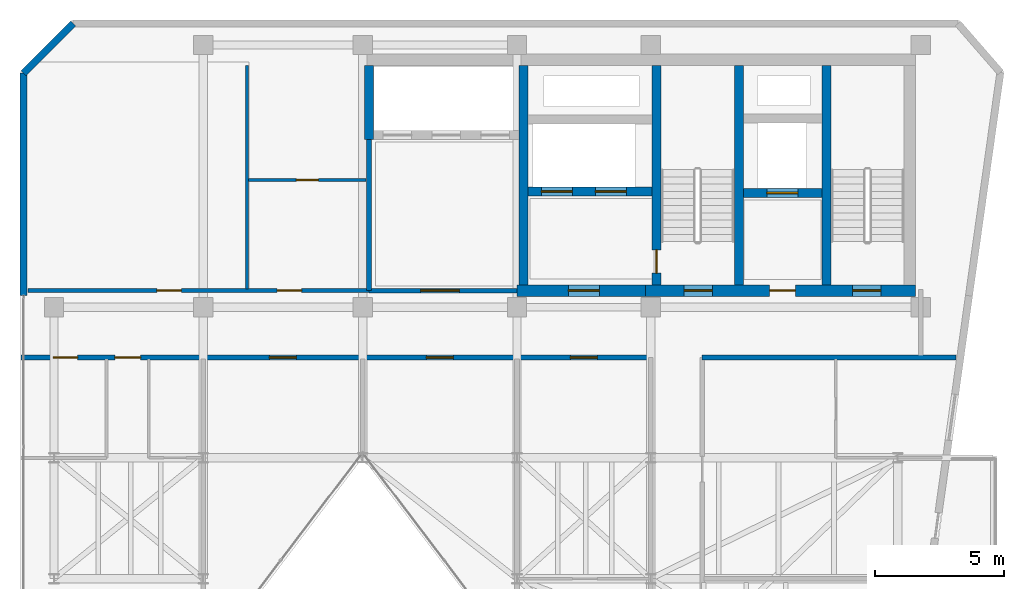
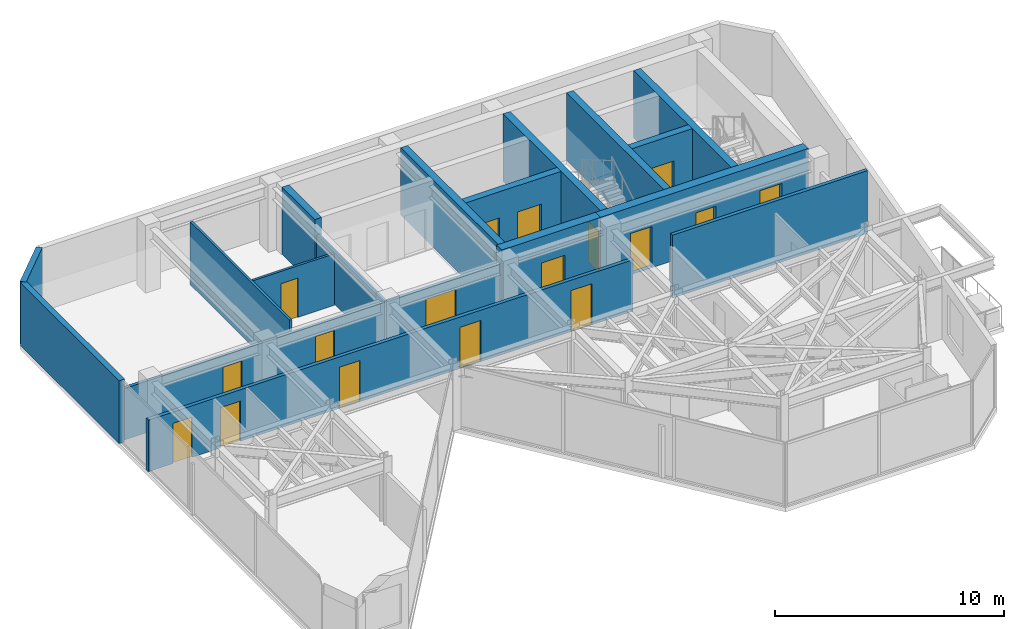
# One storey, part 14 of 17: 18 walls, 17 doors, 17 openings.
"""IFC4 building model written with IfcOpenShell, lengths in metres."""

from ifc_helpers import new_model, si_unit, direction, frame, frame_2d, origin, place, context, subcontext, project, spatial, rectangle, extrude, material, layer, layer_set, type_object, element, fill, save


model = new_model("IFC4")

# Units and contexts
model_context = context("Model", 3, precision=1e-05, world=origin(), true_north=direction((0.0, 1.0)))
body_context = subcontext(model_context, "Body", "Model", "MODEL_VIEW")
ifc_project = project(units=[si_unit("LENGTHUNIT", "METRE"), si_unit("AREAUNIT", "SQUARE_METRE"), si_unit("VOLUMEUNIT", "CUBIC_METRE"), si_unit("PLANEANGLEUNIT", "RADIAN"), si_unit("MASSUNIT", "GRAM", prefix="KILO")], contexts=[model_context])

# Site, building, storey
site_placement = place(None, origin())
site = spatial("IfcSite", under=ifc_project, at=site_placement, CompositionType="ELEMENT")
building_placement = place(site_placement, origin())
building = spatial("IfcBuilding", under=site, at=building_placement, Name="Kravanh Interchange Tower", CompositionType="ELEMENT")
storey_placement = place(building_placement, frame((0.0, 0.0, 285.89990234375)))
storey = spatial("IfcBuildingStorey", under=building, at=storey_placement, Name="L70", CompositionType="ELEMENT", Elevation=285.89990234375)

# Wall
ifc_material_1 = material(Name="Double Acoustic Gypsum Board and Mineral Wool")
ifc_layer_1 = layer(ifc_material_1, 0.1201171875)
ifc_layer_set_1 = layer_set([ifc_layer_1], Name="Acoustic Office Drywall Partition 120mm")
wall_type_1 = type_object("IfcWallType", Name="Acoustic Office Drywall Partition 120mm", PredefinedType="PARTITIONING", material=ifc_layer_set_1)
wall_1_placement = place(storey_placement, frame((40.300048828125, 38.068115234375, 0.0), z_axis=(0.0, 0.0, 1.0), x_axis=(0.0, 1.0, 0.0)))
element("IfcWall", 1, at=wall_1_placement, inside=storey, type_object=wall_type_1, Name="L70 Interior Partition 5", PredefinedType="PARTITIONING", context=body_context, shape_type="SweptSolid", body=[
    extrude(rectangle(XDim=8.681884765625, YDim=0.1201171875, at=frame_2d((4.3408203125, 0.0))), origin(), (0.0, 0.0, 1.0), 3.364990234375),
])

# Wall, opening, door
wall_2_placement = place(storey_placement, frame((40.367919921875, 42.300048828125, 0.0), z_axis=(0.0, 0.0, 1.0), x_axis=(1.0, 0.0, 0.0)))
wall_2 = element("IfcWall", 2, at=wall_2_placement, inside=storey, type_object=wall_type_1, Name="L70 Interior Partition 6", PredefinedType="PARTITIONING", context=body_context, shape_type="SweptSolid", body=[
    extrude(rectangle(XDim=4.56396484375, YDim=0.1201171875, at=frame_2d((2.281982421875, 0.0))), origin(), (0.0, 0.0, 1.0), 2.754150390625),
])
opening_1_placement = place(wall_2_placement, frame((1.85693359375, 0.0, 0.0)))
opening_1 = element("IfcOpeningElement", 3, at=opening_1_placement, cuts=wall_2, Name="Opening D-85", PredefinedType="OPENING", context=body_context, shape_type="SweptSolid", body=[
    extrude(rectangle(XDim=0.85009765625, YDim=2.10009765625, at=frame_2d((0.425048828125, 1.050048828125))), frame((0.0, 0.070068359375, 0.0), z_axis=(0.0, -1.0, 0.0), x_axis=(1.0, 0.0, 0.0)), (0.0, 0.0, 1.0), 0.14013671875),
])
ifc_material_2 = material(Name="Engineered Teak Veneer Timber", Category="wood")
door_type_1 = type_object("IfcDoorType", Name="En-Suite Timber Door 850x2100", OperationType="NOTDEFINED", PredefinedType="DOOR", material=ifc_material_2)
door_1_placement = place(opening_1_placement, origin())
door_1 = element("IfcDoor", 4, at=door_1_placement, inside=storey, type_object=door_type_1, Name="L70 North Beverage Study Inner Door", OperationType="SINGLE_SWING_RIGHT", OverallHeight=2.10009765625, OverallWidth=0.85009765625, PredefinedType="DOOR", context=body_context, shape_type="SweptSolid", body=[
    extrude(rectangle(XDim=0.85009765625, YDim=2.10009765625, at=frame_2d((0.425048828125, 1.050048828125))), frame((0.0, 0.02490234375, 0.0), z_axis=(0.0, -1.0, 0.0), x_axis=(1.0, 0.0, 0.0)), (0.0, 0.0, 1.0), 0.050048828125),
])
fill(opening_1, door_1)

# Walls
ifc_material_3 = material(Name="Concrete C60/75", Category="concrete")
ifc_layer_2 = layer(ifc_material_3, 0.35009765625)
ifc_layer_set_2 = layer_set([ifc_layer_2], Name="Core Shear Wall Concrete C60/75 350mm")
wall_type_2 = type_object("IfcWallType", Name="Core Shear Wall Concrete C60/75 350mm", PredefinedType="SHEAR", material=ifc_layer_set_2)
for number, where, z_axis, x_axis, name in (
    (5, (62.824951171875, 38.22509765625, 0.0), (0.0, 0.0, 1.0), (0.0, 1.0, 0.0), "L70 Stair ST1 West Shear Wall"),
    (6, (59.425048828125, 38.22509765625, 0.0), (0.0, 0.0, 1.0), (0.0, 1.0, 0.0), "L70 Stair ST2 East Shear Wall"),
):
    element("IfcWall", number, at=place(storey_placement, frame(where, z_axis=z_axis, x_axis=x_axis)), inside=storey, type_object=wall_type_2, Name=name, PredefinedType="SHEAR", context=body_context, shape_type="SweptSolid", body=[
        extrude(rectangle(XDim=8.52490234375, YDim=0.35009765625, at=frame_2d((4.262451171875, 0.0))), origin(), (0.0, 0.0, 1.0), 3.60009765625),
    ])

# Wall, opening, door
wall_3_placement = place(storey_placement, frame((56.22509765625, 38.22509765625, 0.0), z_axis=(0.0, 0.0, 1.0), x_axis=(0.0, 1.0, 0.0)))
wall_3 = element("IfcWall", 7, at=wall_3_placement, inside=storey, type_object=wall_type_2, Name="L70 Stair ST2 West Shear Wall", PredefinedType="SHEAR", context=body_context, shape_type="SweptSolid", body=[
    extrude(rectangle(XDim=8.52490234375, YDim=0.35009765625, at=frame_2d((4.262451171875, 0.0))), origin(), (0.0, 0.0, 1.0), 3.60009765625),
])
opening_2_placement = place(wall_3_placement, frame((0.455078125, 0.0, 0.0)))
opening_2 = element("IfcOpeningElement", 8, at=opening_2_placement, cuts=wall_3, Name="Opening D-STAIR-90", PredefinedType="OPENING", context=body_context, shape_type="SweptSolid", body=[
    extrude(rectangle(XDim=0.89990234375, YDim=2.14990234375, at=frame_2d((0.449951171875, 1.074951171875))), frame((0.0, 0.18505859375, 0.0), z_axis=(0.0, -1.0, 0.0), x_axis=(1.0, 0.0, 0.0)), (0.0, 0.0, 1.0), 0.3701171875),
])
ifc_material_4 = material(Name="Structural Steel S355", Category="steel")
door_type_2 = type_object("IfcDoorType", Name="Fire-Rated Stair Lobby Door 900x2150", OperationType="NOTDEFINED", PredefinedType="DOOR", material=ifc_material_4)
door_2_placement = place(opening_2_placement, origin())
door_2 = element("IfcDoor", 9, at=door_2_placement, inside=storey, type_object=door_type_2, Name="L70 Firefighting Lobby to Stair ST2 Door", OperationType="SINGLE_SWING_LEFT", OverallHeight=2.14990234375, OverallWidth=0.89990234375, PredefinedType="DOOR", context=body_context, shape_type="SweptSolid", body=[
    extrude(rectangle(XDim=0.89990234375, YDim=2.14990234375, at=frame_2d((0.449951171875, 1.074951171875))), frame((0.0, 0.02490234375, 0.0), z_axis=(0.0, -1.0, 0.0), x_axis=(1.0, 0.0, 0.0)), (0.0, 0.0, 1.0), 0.050048828125),
])
fill(opening_2, door_2)

wall_4_placement = place(storey_placement, frame((59.60009765625, 41.800048828125, 0.0), z_axis=(0.0, 0.0, 1.0), x_axis=(1.0, 0.0, 0.0)))
wall_4 = element("IfcWall", 10, at=wall_4_placement, inside=storey, type_object=wall_type_2, Name="L70 Service Lift Shaft South Wall", PredefinedType="SHEAR", context=body_context, shape_type="SweptSolid", body=[
    extrude(rectangle(XDim=3.0498046875, YDim=0.35009765625, at=frame_2d((1.52490234375, 0.0))), origin(), (0.0, 0.0, 1.0), 3.60009765625),
])
opening_3_placement = place(wall_4_placement, frame((0.919921875, 0.0, 0.0)))
opening_3 = element("IfcOpeningElement", 11, at=opening_3_placement, cuts=wall_4, Name="Opening LD02", PredefinedType="OPENING", context=body_context, shape_type="SweptSolid", body=[
    extrude(rectangle(XDim=1.199951171875, YDim=2.199951171875, at=frame_2d((0.60009765625, 1.10009765625))), frame((0.0, 0.18505859375, 0.0), z_axis=(0.0, -1.0, 0.0), x_axis=(1.0, 0.0, 0.0)), (0.0, 0.0, 1.0), 0.3701171875),
])
ifc_material_5 = material(Name="Stainless Steel 316", Category="steel")
door_type_3 = type_object("IfcDoorType", Name="Fire and Service Lift Sliding Landing Door 1200x2200", OperationType="DOUBLE_DOOR_SLIDING", PredefinedType="DOOR", material=ifc_material_5)
door_3_placement = place(opening_3_placement, origin())
door_3 = element("IfcDoor", 12, at=door_3_placement, inside=storey, type_object=door_type_3, Name="L70 Lift LS-01 Landing Door", OperationType="DOUBLE_DOOR_SLIDING", OverallHeight=2.199951171875, OverallWidth=1.199951171875, PredefinedType="DOOR", context=body_context, shape_type="SweptSolid", body=[
    extrude(rectangle(XDim=1.199951171875, YDim=2.199951171875, at=frame_2d((0.60009765625, 1.10009765625))), frame((0.0, 0.02490234375, 0.0), z_axis=(0.0, -1.0, 0.0), x_axis=(1.0, 0.0, 0.0)), (0.0, 0.0, 1.0), 0.050048828125),
])
fill(opening_3, door_3)

# Wall, openings, doors
wall_5_placement = place(storey_placement, frame((51.22509765625, 41.85009765625, 0.0), z_axis=(0.0, 0.0, 1.0), x_axis=(1.0, 0.0, 0.0)))
wall_5 = element("IfcWall", 13, at=wall_5_placement, inside=storey, type_object=wall_type_2, Name="L70 Fire Lift Shaft South Wall", PredefinedType="SHEAR", context=body_context, shape_type="SweptSolid", body=[
    extrude(rectangle(XDim=4.824951171875, YDim=0.35009765625, at=frame_2d((2.41259765625, 0.0))), origin(), (0.0, 0.0, 1.0), 3.60009765625),
])
opening_4_placement = place(wall_5_placement, frame((0.52490234375, 0.0, 0.0)))
opening_4 = element("IfcOpeningElement", 14, at=opening_4_placement, cuts=wall_5, Name="Opening LD02", PredefinedType="OPENING", context=body_context, shape_type="SweptSolid", body=[
    extrude(rectangle(XDim=1.199951171875, YDim=2.199951171875, at=frame_2d((0.60009765625, 1.10009765625))), frame((0.0, 0.18505859375, 0.0), z_axis=(0.0, -1.0, 0.0), x_axis=(1.0, 0.0, 0.0)), (0.0, 0.0, 1.0), 0.3701171875),
])
opening_5_placement = place(wall_5_placement, frame((2.625, 0.0, 0.0)))
opening_5 = element("IfcOpeningElement", 15, at=opening_5_placement, cuts=wall_5, Name="Opening LD02", PredefinedType="OPENING", context=body_context, shape_type="SweptSolid", body=[
    extrude(rectangle(XDim=1.199951171875, YDim=2.199951171875, at=frame_2d((0.60009765625, 1.10009765625))), frame((0.0, 0.18505859375, 0.0), z_axis=(0.0, -1.0, 0.0), x_axis=(1.0, 0.0, 0.0)), (0.0, 0.0, 1.0), 0.3701171875),
])
door_4_placement = place(opening_4_placement, origin())
door_4 = element("IfcDoor", 16, at=door_4_placement, inside=storey, type_object=door_type_3, Name="L70 Lift FSAE-01 Landing Door", OperationType="DOUBLE_DOOR_SLIDING", OverallHeight=2.199951171875, OverallWidth=1.199951171875, PredefinedType="DOOR", context=body_context, shape_type="SweptSolid", body=[
    extrude(rectangle(XDim=1.199951171875, YDim=2.199951171875, at=frame_2d((0.60009765625, 1.10009765625))), frame((0.0, 0.02490234375, 0.0), z_axis=(0.0, -1.0, 0.0), x_axis=(1.0, 0.0, 0.0)), (0.0, 0.0, 1.0), 0.050048828125),
])
fill(opening_4, door_4)
door_5_placement = place(opening_5_placement, origin())
door_5 = element("IfcDoor", 17, at=door_5_placement, inside=storey, type_object=door_type_3, Name="L70 Lift FSAE-02 Landing Door", OperationType="DOUBLE_DOOR_SLIDING", OverallHeight=2.199951171875, OverallWidth=1.199951171875, PredefinedType="DOOR", context=body_context, shape_type="SweptSolid", body=[
    extrude(rectangle(XDim=1.199951171875, YDim=2.199951171875, at=frame_2d((0.60009765625, 1.10009765625))), frame((0.0, 0.02490234375, 0.0), z_axis=(0.0, -1.0, 0.0), x_axis=(1.0, 0.0, 0.0)), (0.0, 0.0, 1.0), 0.050048828125),
])
fill(opening_5, door_5)

# Walls
wall_6_placement = place(storey_placement, frame((51.050048828125, 38.22509765625, 0.0), z_axis=(0.0, 0.0, 1.0), x_axis=(0.0, 1.0, 0.0)))
element("IfcWall", 18, at=wall_6_placement, inside=storey, type_object=wall_type_2, Name="L70 Firefighting Lobby West Wall", PredefinedType="SHEAR", context=body_context, shape_type="SweptSolid", body=[
    extrude(rectangle(XDim=8.52490234375, YDim=0.35009765625, at=frame_2d((4.262451171875, 0.0))), origin(), (0.0, 0.0, 1.0), 3.60009765625),
])
wall_7_placement = place(storey_placement, frame((45.050048828125, 43.875, 0.0), z_axis=(0.0, 0.0, 1.0), x_axis=(0.0, 1.0, 0.0)))
element("IfcWall", 19, at=wall_7_placement, inside=storey, type_object=wall_type_2, Name="L70 High-Rise Lift Shaft West Wall", PredefinedType="SHEAR", context=body_context, shape_type="SweptSolid", body=[
    extrude(rectangle(XDim=2.875, YDim=0.35009765625, at=frame_2d((1.4375, 0.0))), origin(), (0.0, 0.0, 1.0), 3.60009765625),
])

# Wall, openings, doors
ifc_material_6 = material(Name="Concrete C60/75", Category="concrete")
ifc_layer_3 = layer(ifc_material_6, 0.449951171875)
ifc_layer_set_3 = layer_set([ifc_layer_3], Name="Core Shear Wall Concrete C60/75 450mm")
wall_type_3 = type_object("IfcWallType", Name="Core Shear Wall Concrete C60/75 450mm", PredefinedType="SHEAR", material=ifc_layer_set_3)
wall_8_placement = place(storey_placement, frame((55.800048828125, 38.0, 0.0), z_axis=(0.0, 0.0, 1.0), x_axis=(1.0, 0.0, 0.0)))
wall_8 = element("IfcWall", 20, at=wall_8_placement, inside=storey, type_object=wall_type_3, Name="L70 East Core South Shear Wall", PredefinedType="SHEAR", context=body_context, shape_type="SweptSolid", body=[
    extrude(rectangle(XDim=10.5, YDim=0.449951171875, at=frame_2d((5.25, 0.0))), origin(), (0.0, 0.0, 1.0), 3.60009765625),
])
opening_6_placement = place(wall_8_placement, frame((1.5, 0.0, 0.0)))
opening_6 = element("IfcOpeningElement", 21, at=opening_6_placement, cuts=wall_8, Name="Opening D-STAIR-110", PredefinedType="OPENING", context=body_context, shape_type="SweptSolid", body=[
    extrude(rectangle(XDim=1.10009765625, YDim=2.199951171875, at=frame_2d((0.550048828125, 1.10009765625))), frame((0.0, 0.23486328125, 0.0), z_axis=(0.0, -1.0, 0.0), x_axis=(1.0, 0.0, 0.0)), (0.0, 0.0, 1.0), 0.469970703125),
])
opening_7_placement = place(wall_8_placement, frame((4.820068359375, 0.0, 0.0)))
opening_7 = element("IfcOpeningElement", 22, at=opening_7_placement, cuts=wall_8, Name="Opening D-HOTEL-100", PredefinedType="OPENING", context=body_context, shape_type="SweptSolid", body=[
    extrude(rectangle(XDim=1.0, YDim=2.14990234375, at=frame_2d((0.5, 1.074951171875))), frame((0.0, 0.23486328125, 0.0), z_axis=(0.0, -1.0, 0.0), x_axis=(1.0, 0.0, 0.0)), (0.0, 0.0, 1.0), 0.469970703125),
])
opening_8_placement = place(wall_8_placement, frame((8.050048828125, 0.0, 0.0)))
opening_8 = element("IfcOpeningElement", 23, at=opening_8_placement, cuts=wall_8, Name="Opening D-STAIR-110", PredefinedType="OPENING", context=body_context, shape_type="SweptSolid", body=[
    extrude(rectangle(XDim=1.10009765625, YDim=2.199951171875, at=frame_2d((0.550048828125, 1.10009765625))), frame((0.0, 0.23486328125, 0.0), z_axis=(0.0, -1.0, 0.0), x_axis=(1.0, 0.0, 0.0)), (0.0, 0.0, 1.0), 0.469970703125),
])
ifc_material_7 = material(Name="Structural Steel S355", Category="steel")
door_type_4 = type_object("IfcDoorType", Name="Fire-Rated Exit Stair Door 1100x2200", OperationType="NOTDEFINED", PredefinedType="DOOR", material=ifc_material_7)
door_6_placement = place(opening_6_placement, origin())
door_6 = element("IfcDoor", 24, at=door_6_placement, inside=storey, type_object=door_type_4, Name="L70 Exit Stair ST2 Door", OperationType="SINGLE_SWING_RIGHT", OverallHeight=2.199951171875, OverallWidth=1.10009765625, PredefinedType="DOOR", context=body_context, shape_type="SweptSolid", body=[
    extrude(rectangle(XDim=1.10009765625, YDim=2.199951171875, at=frame_2d((0.550048828125, 1.10009765625))), frame((0.0, 0.02490234375, 0.0), z_axis=(0.0, -1.0, 0.0), x_axis=(1.0, 0.0, 0.0)), (0.0, 0.0, 1.0), 0.050048828125),
])
fill(opening_6, door_6)
door_7_placement = place(opening_8_placement, origin())
door_7 = element("IfcDoor", 25, at=door_7_placement, inside=storey, type_object=door_type_4, Name="L70 Exit Stair ST1 Door", OperationType="SINGLE_SWING_RIGHT", OverallHeight=2.199951171875, OverallWidth=1.10009765625, PredefinedType="DOOR", context=body_context, shape_type="SweptSolid", body=[
    extrude(rectangle(XDim=1.10009765625, YDim=2.199951171875, at=frame_2d((0.550048828125, 1.10009765625))), frame((0.0, 0.02490234375, 0.0), z_axis=(0.0, -1.0, 0.0), x_axis=(1.0, 0.0, 0.0)), (0.0, 0.0, 1.0), 0.050048828125),
])
fill(opening_8, door_7)
ifc_material_8 = material(Name="Fire-Rated Solid Timber Leaf", Category="wood")
door_type_5 = type_object("IfcDoorType", Name="Fire-Rated Suite Entrance Door 1000x2150", OperationType="NOTDEFINED", PredefinedType="DOOR", material=ifc_material_8)
door_8_placement = place(opening_7_placement, origin())
door_8 = element("IfcDoor", 26, at=door_8_placement, inside=storey, type_object=door_type_5, Name="L70 Service Lift Lobby Door", OperationType="SINGLE_SWING_RIGHT", OverallHeight=2.14990234375, OverallWidth=1.0, PredefinedType="DOOR", context=body_context, shape_type="SweptSolid", body=[
    extrude(rectangle(XDim=1.0, YDim=2.14990234375, at=frame_2d((0.5, 1.074951171875))), frame((0.0, 0.02490234375, 0.0), z_axis=(0.0, -1.0, 0.0), x_axis=(1.0, 0.0, 0.0)), (0.0, 0.0, 1.0), 0.050048828125),
])
fill(opening_7, door_8)

# Wall, opening, door
wall_9_placement = place(storey_placement, frame((50.800048828125, 38.0, 0.0), z_axis=(0.0, 0.0, 1.0), x_axis=(1.0, 0.0, 0.0)))
wall_9 = element("IfcWall", 27, at=wall_9_placement, inside=storey, type_object=wall_type_3, Name="L70 Firefighting Lobby South Shear Wall", PredefinedType="SHEAR", context=body_context, shape_type="SweptSolid", body=[
    extrude(rectangle(XDim=5.0, YDim=0.449951171875, at=frame_2d((2.5, 0.0))), origin(), (0.0, 0.0, 1.0), 3.60009765625),
])
opening_9_placement = place(wall_9_placement, frame((2.0, 0.0, 0.0)))
opening_9 = element("IfcOpeningElement", 28, at=opening_9_placement, cuts=wall_9, Name="Opening D-FSAE-120", PredefinedType="OPENING", context=body_context, shape_type="SweptSolid", body=[
    extrude(rectangle(XDim=1.199951171875, YDim=2.199951171875, at=frame_2d((0.60009765625, 1.10009765625))), frame((0.0, 0.23486328125, 0.0), z_axis=(0.0, -1.0, 0.0), x_axis=(1.0, 0.0, 0.0)), (0.0, 0.0, 1.0), 0.469970703125),
])
ifc_material_9 = material(Name="Structural Steel S355", Category="steel")
door_type_6 = type_object("IfcDoorType", Name="Fire-Rated Refuge and FSAE Door 1200x2200", OperationType="NOTDEFINED", PredefinedType="DOOR", material=ifc_material_9)
door_9_placement = place(opening_9_placement, origin())
door_9 = element("IfcDoor", 29, at=door_9_placement, inside=storey, type_object=door_type_6, Name="L70 Firefighting Lobby Corridor Door", OperationType="SINGLE_SWING_RIGHT", OverallHeight=2.199951171875, OverallWidth=1.199951171875, PredefinedType="DOOR", context=body_context, shape_type="SweptSolid", body=[
    extrude(rectangle(XDim=1.199951171875, YDim=2.199951171875, at=frame_2d((0.60009765625, 1.10009765625))), frame((0.0, 0.02490234375, 0.0), z_axis=(0.0, -1.0, 0.0), x_axis=(1.0, 0.0, 0.0)), (0.0, 0.0, 1.0), 0.050048828125),
])
fill(opening_9, door_9)

# Walls
ifc_material_10 = material(Name="Insulated Precast Concrete C40/50 with Bronze Cladding", Category="concrete")
ifc_layer_4 = layer(ifc_material_10, 0.280029296875)
ifc_layer_set_4 = layer_set([ifc_layer_4], Name="Exterior Insulated Concrete C40/50 Bronze Spandrel Wall 280mm")
wall_type_4 = type_object("IfcWallType", Name="Exterior Insulated Concrete C40/50 Bronze Spandrel Wall 280mm", PredefinedType="STANDARD", material=ifc_layer_set_4)
wall_10_placement = place(storey_placement, frame((31.6201171875, 37.800048828125, 0.0), z_axis=(0.0, 0.0, 1.0), x_axis=(0.0, 1.0, 0.0)))
element("IfcWall", 30, at=wall_10_placement, inside=storey, type_object=wall_type_4, Name="L70 Exterior Wall 1", PredefinedType="STANDARD", context=body_context, shape_type="SweptSolid", body=[
    extrude(rectangle(XDim=8.650146484375, YDim=0.280029296875, at=frame_2d((4.3251953125, 0.0))), origin(), (0.0, 0.0, 1.0), 3.364990234375),
])
wall_11_placement = place(storey_placement, frame((31.6201171875, 46.4501953125, 0.0), z_axis=(0.0, 0.0, 1.0), x_axis=(0.707106781187, 0.707106781187, 0.0)))
element("IfcWall", 31, at=wall_11_placement, inside=storey, type_object=wall_type_4, Name="L70 Exterior Wall 2", PredefinedType="STANDARD", context=body_context, shape_type="SweptSolid", body=[
    extrude(rectangle(XDim=2.72900390625, YDim=0.280029296875, at=frame_2d((1.364501953125, 0.0))), origin(), (0.0, 0.0, 1.0), 3.364990234375),
])

# Wall, opening, door
ifc_material_11 = material(Name="Autoclaved Aerated Concrete C30/37 Blockwork", Category="masonry")
ifc_layer_5 = layer(ifc_material_11, 0.179931640625)
ifc_layer_set_5 = layer_set([ifc_layer_5], Name="Fire-Rated Lobby and Corridor Wall Concrete C30/37 180mm")
wall_type_5 = type_object("IfcWallType", Name="Fire-Rated Lobby and Corridor Wall Concrete C30/37 180mm", PredefinedType="STANDARD", material=ifc_layer_set_5)
wall_12_placement = place(storey_placement, frame((45.050048828125, 38.0, 0.0), z_axis=(0.0, 0.0, 1.0), x_axis=(1.0, 0.0, 0.0)))
wall_12 = element("IfcWall", 32, at=wall_12_placement, inside=storey, type_object=wall_type_5, Name="L70 High-Rise Lift Lobby Wall 1", PredefinedType="STANDARD", context=body_context, shape_type="SweptSolid", body=[
    extrude(rectangle(XDim=5.75, YDim=0.179931640625, at=frame_2d((2.875, 0.0))), origin(), (0.0, 0.0, 1.0), 2.754150390625),
])
opening_10_placement = place(wall_12_placement, frame((2.0087890625, 0.0, 0.0)))
opening_10 = element("IfcOpeningElement", 33, at=opening_10_placement, cuts=wall_12, Name="Opening DBL-150", PredefinedType="OPENING", context=body_context, shape_type="SweptSolid", body=[
    extrude(rectangle(XDim=1.5, YDim=2.199951171875, at=frame_2d((0.75, 1.10009765625))), frame((0.0, 0.10009765625, 0.0), z_axis=(0.0, -1.0, 0.0), x_axis=(1.0, 0.0, 0.0)), (0.0, 0.0, 1.0), 0.199951171875),
])
ifc_material_12 = material(Name="Acoustic Timber and Toughened Glass", Category="wood")
door_type_7 = type_object("IfcDoorType", Name="Conference Hall Double Door 1500x2200", OperationType="DOUBLE_DOOR_SINGLE_SWING", PredefinedType="DOOR", material=ifc_material_12)
door_10_placement = place(opening_10_placement, origin())
door_10 = element("IfcDoor", 34, at=door_10_placement, inside=storey, type_object=door_type_7, Name="L70 High-Rise Lift Lobby Door", OperationType="DOUBLE_DOOR_SINGLE_SWING", OverallHeight=2.199951171875, OverallWidth=1.5, PredefinedType="DOOR", context=body_context, shape_type="SweptSolid", body=[
    extrude(rectangle(XDim=1.5, YDim=2.199951171875, at=frame_2d((0.75, 1.10009765625))), frame((0.0, 0.02490234375, 0.0), z_axis=(0.0, -1.0, 0.0), x_axis=(1.0, 0.0, 0.0)), (0.0, 0.0, 1.0), 0.050048828125),
])
fill(opening_10, door_10)

# Wall
wall_13_placement = place(storey_placement, frame((45.050048828125, 38.0, 0.0), z_axis=(0.0, 0.0, 1.0), x_axis=(0.0, 1.0, 0.0)))
element("IfcWall", 35, at=wall_13_placement, inside=storey, type_object=wall_type_5, Name="L70 Interior Partition 2", PredefinedType="STANDARD", context=body_context, shape_type="SweptSolid", body=[
    extrude(rectangle(XDim=5.875, YDim=0.179931640625, at=frame_2d((2.9375, 0.0))), origin(), (0.0, 0.0, 1.0), 2.754150390625),
])

# Wall, openings, doors
wall_14_placement = place(storey_placement, frame((31.514892578125, 35.39990234375, 0.0), z_axis=(0.0, 0.0, 1.0), x_axis=(1.0, 0.0, 0.0)))
wall_14 = element("IfcWall", 36, at=wall_14_placement, inside=storey, type_object=wall_type_5, Name="L70 Interior Partition 7", PredefinedType="STANDARD", context=body_context, shape_type="SweptSolid", body=[
    extrude(rectangle(XDim=24.485107421875, YDim=0.179931640625, at=frame_2d((12.24267578125, 0.0))), origin(), (0.0, 0.0, 1.0), 2.754150390625),
])
opening_11_placement = place(wall_14_placement, frame((1.25927734375, 0.0, 0.0)))
opening_11 = element("IfcOpeningElement", 37, at=opening_11_placement, cuts=wall_14, Name="Opening D-95", PredefinedType="OPENING", context=body_context, shape_type="SweptSolid", body=[
    extrude(rectangle(XDim=0.949951171875, YDim=2.14990234375, at=frame_2d((0.47509765625, 1.074951171875))), frame((0.0, 0.10009765625, 0.0), z_axis=(0.0, -1.0, 0.0), x_axis=(1.0, 0.0, 0.0)), (0.0, 0.0, 1.0), 0.199951171875),
])
opening_12_placement = place(wall_14_placement, frame((3.64990234375, 0.0, 0.0)))
opening_12 = element("IfcOpeningElement", 38, at=opening_12_placement, cuts=wall_14, Name="Opening D-HOTEL-100", PredefinedType="OPENING", context=body_context, shape_type="SweptSolid", body=[
    extrude(rectangle(XDim=1.0, YDim=2.14990234375, at=frame_2d((0.5, 1.074951171875))), frame((0.0, 0.10009765625, 0.0), z_axis=(0.0, -1.0, 0.0), x_axis=(1.0, 0.0, 0.0)), (0.0, 0.0, 1.0), 0.199951171875),
])
opening_13_placement = place(wall_14_placement, frame((9.659912109375, 0.0, 0.0)))
opening_13 = element("IfcOpeningElement", 39, at=opening_13_placement, cuts=wall_14, Name="Opening D-105", PredefinedType="OPENING", context=body_context, shape_type="SweptSolid", body=[
    extrude(rectangle(XDim=1.050048828125, YDim=2.199951171875, at=frame_2d((0.52490234375, 1.10009765625))), frame((0.0, 0.10009765625, 0.0), z_axis=(0.0, -1.0, 0.0), x_axis=(1.0, 0.0, 0.0)), (0.0, 0.0, 1.0), 0.199951171875),
])
opening_14_placement = place(wall_14_placement, frame((15.760009765625, 0.0, 0.0)))
opening_14 = element("IfcOpeningElement", 40, at=opening_14_placement, cuts=wall_14, Name="Opening D-105", PredefinedType="OPENING", context=body_context, shape_type="SweptSolid", body=[
    extrude(rectangle(XDim=1.050048828125, YDim=2.199951171875, at=frame_2d((0.52490234375, 1.10009765625))), frame((0.0, 0.10009765625, 0.0), z_axis=(0.0, -1.0, 0.0), x_axis=(1.0, 0.0, 0.0)), (0.0, 0.0, 1.0), 0.199951171875),
])
opening_15_placement = place(wall_14_placement, frame((21.360107421875, 0.0, 0.0)))
opening_15 = element("IfcOpeningElement", 41, at=opening_15_placement, cuts=wall_14, Name="Opening D-105", PredefinedType="OPENING", context=body_context, shape_type="SweptSolid", body=[
    extrude(rectangle(XDim=1.050048828125, YDim=2.199951171875, at=frame_2d((0.52490234375, 1.10009765625))), frame((0.0, 0.10009765625, 0.0), z_axis=(0.0, -1.0, 0.0), x_axis=(1.0, 0.0, 0.0)), (0.0, 0.0, 1.0), 0.199951171875),
])
ifc_material_13 = material(Name="Laminate Solid-Core Timber", Category="wood")
door_type_8 = type_object("IfcDoorType", Name="Accessible Restroom Door 950x2150", OperationType="NOTDEFINED", PredefinedType="DOOR", material=ifc_material_13)
door_11_placement = place(opening_11_placement, origin())
door_11 = element("IfcDoor", 42, at=door_11_placement, inside=storey, type_object=door_type_8, Name="L70 Accessible WC Door", OperationType="SINGLE_SWING_LEFT", OverallHeight=2.14990234375, OverallWidth=0.949951171875, PredefinedType="DOOR", context=body_context, shape_type="SweptSolid", body=[
    extrude(rectangle(XDim=0.949951171875, YDim=2.14990234375, at=frame_2d((0.47509765625, 1.074951171875))), frame((0.0, 0.02490234375, 0.0), z_axis=(0.0, -1.0, 0.0), x_axis=(1.0, 0.0, 0.0)), (0.0, 0.0, 1.0), 0.050048828125),
])
fill(opening_11, door_11)
door_12_placement = place(opening_12_placement, origin())
door_12 = element("IfcDoor", 43, at=door_12_placement, inside=storey, type_object=door_type_5, Name="L70 Skyline Panorama Hotel Suite 6A Entrance Door", OperationType="SINGLE_SWING_RIGHT", OverallHeight=2.14990234375, OverallWidth=1.0, PredefinedType="DOOR", context=body_context, shape_type="SweptSolid", body=[
    extrude(rectangle(XDim=1.0, YDim=2.14990234375, at=frame_2d((0.5, 1.074951171875))), frame((0.0, 0.02490234375, 0.0), z_axis=(0.0, -1.0, 0.0), x_axis=(1.0, 0.0, 0.0)), (0.0, 0.0, 1.0), 0.050048828125),
])
fill(opening_12, door_12)
ifc_material_14 = material(Name="Acoustic Glazed Oak and Aluminium", Category="aluminium")
door_type_9 = type_object("IfcDoorType", Name="Office Workplace Door 1050x2200", OperationType="NOTDEFINED", PredefinedType="DOOR", material=ifc_material_14)
door_13_placement = place(opening_13_placement, origin())
door_13 = element("IfcDoor", 44, at=door_13_placement, inside=storey, type_object=door_type_9, Name="L70 Diplomatic Boardroom Meeting 6A Door", OperationType="SINGLE_SWING_RIGHT", OverallHeight=2.199951171875, OverallWidth=1.050048828125, PredefinedType="DOOR", context=body_context, shape_type="SweptSolid", body=[
    extrude(rectangle(XDim=1.050048828125, YDim=2.199951171875, at=frame_2d((0.52490234375, 1.10009765625))), frame((0.0, 0.02490234375, 0.0), z_axis=(0.0, -1.0, 0.0), x_axis=(1.0, 0.0, 0.0)), (0.0, 0.0, 1.0), 0.050048828125),
])
fill(opening_13, door_13)
door_14_placement = place(opening_14_placement, origin())
door_14 = element("IfcDoor", 45, at=door_14_placement, inside=storey, type_object=door_type_9, Name="L70 Protocol Caucus Meeting 6B Door", OperationType="SINGLE_SWING_LEFT", OverallHeight=2.199951171875, OverallWidth=1.050048828125, PredefinedType="DOOR", context=body_context, shape_type="SweptSolid", body=[
    extrude(rectangle(XDim=1.050048828125, YDim=2.199951171875, at=frame_2d((0.52490234375, 1.10009765625))), frame((0.0, 0.02490234375, 0.0), z_axis=(0.0, -1.0, 0.0), x_axis=(1.0, 0.0, 0.0)), (0.0, 0.0, 1.0), 0.050048828125),
])
fill(opening_14, door_14)
door_15_placement = place(opening_15_placement, origin())
door_15 = element("IfcDoor", 46, at=door_15_placement, inside=storey, type_object=door_type_9, Name="L70 Sky Seminar Meeting 6C Door", OperationType="SINGLE_SWING_LEFT", OverallHeight=2.199951171875, OverallWidth=1.050048828125, PredefinedType="DOOR", context=body_context, shape_type="SweptSolid", body=[
    extrude(rectangle(XDim=1.050048828125, YDim=2.199951171875, at=frame_2d((0.52490234375, 1.10009765625))), frame((0.0, 0.02490234375, 0.0), z_axis=(0.0, -1.0, 0.0), x_axis=(1.0, 0.0, 0.0)), (0.0, 0.0, 1.0), 0.050048828125),
])
fill(opening_15, door_15)

# Wall
wall_15_placement = place(storey_placement, frame((58.0, 35.39990234375, 0.0), z_axis=(0.0, 0.0, 1.0), x_axis=(1.0, 0.0, 0.0)))
element("IfcWall", 47, at=wall_15_placement, inside=storey, type_object=wall_type_5, Name="L70 Interior Partition 8", PredefinedType="STANDARD", context=body_context, shape_type="SweptSolid", body=[
    extrude(rectangle(XDim=9.87109375, YDim=0.179931640625, at=frame_2d((4.935546875, 0.0))), origin(), (0.0, 0.0, 1.0), 3.364990234375),
])

# Wall, openings, doors
ifc_material_15 = material(Name="Twin Stud Acoustic Gypsum Board Wall")
ifc_layer_6 = layer(ifc_material_15, 0.14990234375)
ifc_layer_set_6 = layer_set([ifc_layer_6], Name="Medium-Duty Acoustic Partition 150mm")
wall_type_6 = type_object("IfcWallType", Name="Medium-Duty Acoustic Partition 150mm", PredefinedType="PARTITIONING", material=ifc_layer_set_6)
wall_16_placement = place(storey_placement, frame((31.784912109375, 38.0, 0.0), z_axis=(0.0, 0.0, 1.0), x_axis=(1.0, 0.0, 0.0)))
wall_16 = element("IfcWall", 48, at=wall_16_placement, inside=storey, type_object=wall_type_6, Name="L70 Interior Partition 3", PredefinedType="PARTITIONING", context=body_context, shape_type="SweptSolid", body=[
    extrude(rectangle(XDim=13.26513671875, YDim=0.14990234375, at=frame_2d((6.632568359375, 0.0))), origin(), (0.0, 0.0, 1.0), 2.754150390625),
])
opening_16_placement = place(wall_16_placement, frame((5.014892578125, 0.0, 0.0)))
opening_16 = element("IfcOpeningElement", 49, at=opening_16_placement, cuts=wall_16, Name="Opening D-95", PredefinedType="OPENING", context=body_context, shape_type="SweptSolid", body=[
    extrude(rectangle(XDim=0.949951171875, YDim=2.14990234375, at=frame_2d((0.47509765625, 1.074951171875))), frame((0.0, 0.0849609375, 0.0), z_axis=(0.0, -1.0, 0.0), x_axis=(1.0, 0.0, 0.0)), (0.0, 0.0, 1.0), 0.169921875),
])
opening_17_placement = place(wall_16_placement, frame((9.68994140625, 0.0, 0.0)))
opening_17 = element("IfcOpeningElement", 50, at=opening_17_placement, cuts=wall_16, Name="Opening D-95", PredefinedType="OPENING", context=body_context, shape_type="SweptSolid", body=[
    extrude(rectangle(XDim=0.949951171875, YDim=2.14990234375, at=frame_2d((0.47509765625, 1.074951171875))), frame((0.0, 0.0849609375, 0.0), z_axis=(0.0, -1.0, 0.0), x_axis=(1.0, 0.0, 0.0)), (0.0, 0.0, 1.0), 0.169921875),
])
door_16_placement = place(opening_16_placement, origin())
door_16 = element("IfcDoor", 51, at=door_16_placement, inside=storey, type_object=door_type_8, Name="L70 Spa Salon Lounge Door", OperationType="SINGLE_SWING_RIGHT", OverallHeight=2.14990234375, OverallWidth=0.949951171875, PredefinedType="DOOR", context=body_context, shape_type="SweptSolid", body=[
    extrude(rectangle(XDim=0.949951171875, YDim=2.14990234375, at=frame_2d((0.47509765625, 1.074951171875))), frame((0.0, 0.02490234375, 0.0), z_axis=(0.0, -1.0, 0.0), x_axis=(1.0, 0.0, 0.0)), (0.0, 0.0, 1.0), 0.050048828125),
])
fill(opening_16, door_16)
door_17_placement = place(opening_17_placement, origin())
door_17 = element("IfcDoor", 52, at=door_17_placement, inside=storey, type_object=door_type_8, Name="L70 Housekeeping Linen Door", OperationType="SINGLE_SWING_LEFT", OverallHeight=2.14990234375, OverallWidth=0.949951171875, PredefinedType="DOOR", context=body_context, shape_type="SweptSolid", body=[
    extrude(rectangle(XDim=0.949951171875, YDim=2.14990234375, at=frame_2d((0.47509765625, 1.074951171875))), frame((0.0, 0.02490234375, 0.0), z_axis=(0.0, -1.0, 0.0), x_axis=(1.0, 0.0, 0.0)), (0.0, 0.0, 1.0), 0.050048828125),
])
fill(opening_17, door_17)

save(model, "model.ifc")
